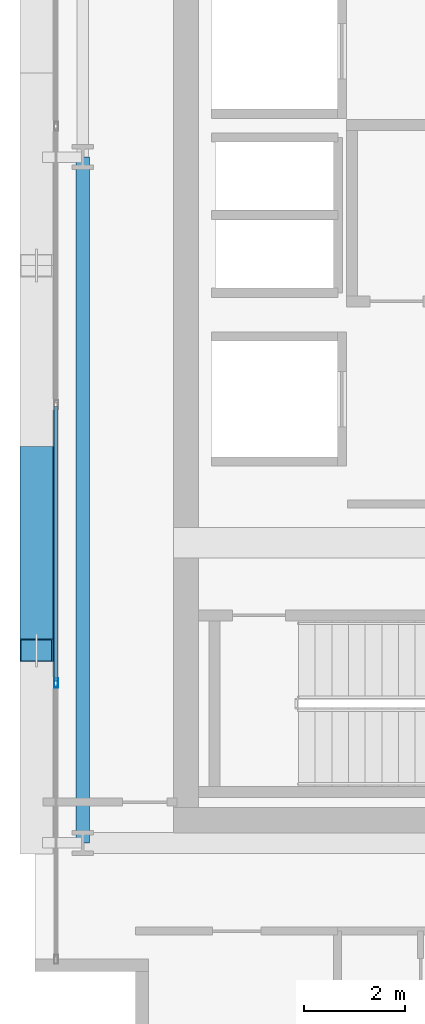
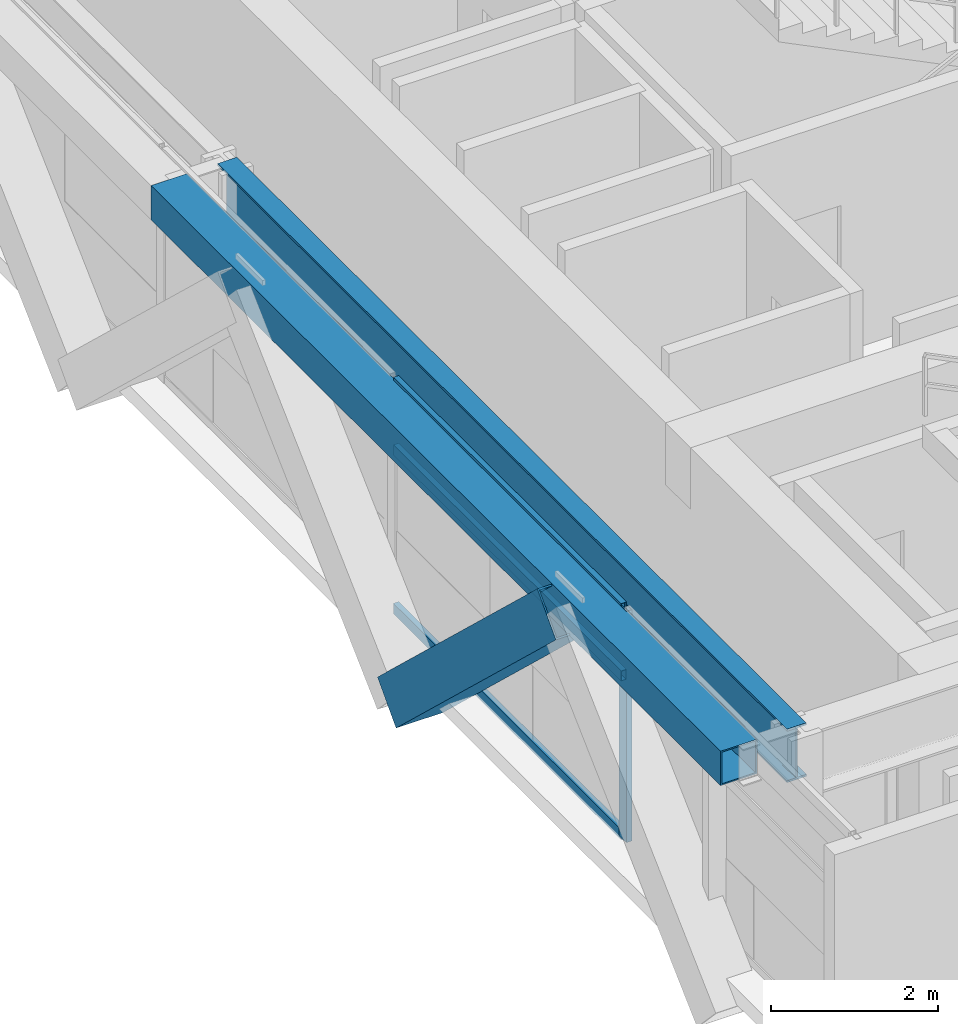
# One storey, part 4 of 31: 5 members, 2 beams, 1 element without a shape of its own.
"""IFC4 building model written with IfcOpenShell, lengths in metres."""

from ifc_helpers import new_model, si_unit, direction, frame, origin, origin_2d, place, context, subcontext, project, spatial, hollow_rectangle, i_section, extrude, source, transform, mapped, material, layer, layer_set, material_profile, profile_set, type_object, element, aggregate, save


model = new_model("IFC4")

# Units and contexts
model_context = context("Model", 3, precision=1e-05, world=origin(), true_north=direction((0.0, 1.0)))
body_context = subcontext(model_context, "Body", "Model", "MODEL_VIEW")
ifc_project = project(units=[si_unit("LENGTHUNIT", "METRE"), si_unit("AREAUNIT", "SQUARE_METRE"), si_unit("VOLUMEUNIT", "CUBIC_METRE"), si_unit("PLANEANGLEUNIT", "RADIAN"), si_unit("MASSUNIT", "GRAM", prefix="KILO")], contexts=[model_context])

# Site, building, storey
site_placement = place(None, origin())
site = spatial("IfcSite", under=ifc_project, at=site_placement, CompositionType="ELEMENT")
building_placement = place(site_placement, origin())
building = spatial("IfcBuilding", under=site, at=building_placement, Name="Ocotamira Hotel", CompositionType="ELEMENT")
storey_placement = place(building_placement, frame((0.0, 0.0, 188.39990234375)))
storey = spatial("IfcBuildingStorey", under=building, at=storey_placement, Name="L47", CompositionType="ELEMENT", Elevation=188.39990234375)

# Beams
ifc_material_1 = material(Name="Steel ASTM A992 Grade 50", Category="steel")
ifc_material_profile_1 = material_profile(ifc_material_1, i_section(OverallWidth=0.26611328125, OverallDepth=0.779052734375, WebThickness=0.0166015625, FlangeThickness=0.030029296875, FilletRadius=0.01806640625, at=origin_2d()), Name="W30X148")
ifc_profile_set_1 = profile_set([ifc_material_profile_1], Name="Steel ASTM A992 Grade 50")
beam_type_1 = type_object("IfcBeamType", Name="BM-GIRD-W30X148", PredefinedType="BEAM", material=ifc_profile_set_1)
shared_shape_1 = source(origin(), body_context, "Body", "SweptSolid", [
    extrude(i_section(OverallWidth=0.26611328125, OverallDepth=0.779052734375, WebThickness=0.0166015625, FlangeThickness=0.030029296875, FilletRadius=0.01806640625, at=origin_2d()), origin(), (0.0, 0.0, 1.0), 13.599853515625),
])
beam_1_placement = place(storey_placement, frame((8.949951171875, 14.550048828125, 2.980712890625), z_axis=(0.0, 1.0, 0.0), x_axis=(-1.0, 0.0, 0.0)))
element("IfcBeam", 1, at=beam_1_placement, inside=storey, type_object=beam_type_1, Name="L47 Beam X8.95 Y14.55-28.15", PredefinedType="BEAM", context=body_context, shape_type="MappedRepresentation", body=[
    mapped(shared_shape_1, transform((0.0, 0.0, 0.0), scale=1.0)),
])
ifc_material_2 = material(Name="Steel ASTM A500 Grade C", Category="steel")
ifc_material_profile_2 = material_profile(ifc_material_2, hollow_rectangle(XDim=0.5, YDim=0.5, WallThickness=0.02001953125, at=origin_2d()), Name="HSS500X500X20")
ifc_profile_set_2 = profile_set([ifc_material_profile_2], Name="Steel ASTM A500 Grade C")
beam_type_2 = type_object("IfcBeamType", Name="BM-SPAN-HSS500", PredefinedType="USERDEFINED", material=ifc_profile_set_2)
shared_shape_2 = source(origin(), body_context, "Body", "SweptSolid", [
    extrude(hollow_rectangle(XDim=0.5, YDim=0.5, WallThickness=0.02001953125, at=origin_2d()), origin(), (0.0, 0.0, 1.0), 13.599853515625),
])
beam_2_placement = place(storey_placement, frame((8.14990234375, 14.550048828125, 3.1201171875), z_axis=(0.0, 1.0, 0.0), x_axis=(-1.0, 0.0, 0.0)))
element("IfcBeam", 2, at=beam_2_placement, inside=storey, type_object=beam_type_2, Name="L47 Edge Spandrel W Y14.55-28.15", ObjectType="SPANDREL", PredefinedType="USERDEFINED", context=body_context, shape_type="MappedRepresentation", body=[
    mapped(shared_shape_2, transform((0.0, 0.0, 0.0), scale=1.0)),
])

# Member
ifc_material_3 = material(Name="Pale-metal coated steel ASTM A913 Grade 65", Category="steel")
ifc_material_profile_3 = material_profile(ifc_material_3, hollow_rectangle(XDim=0.64990234375, YDim=0.64990234375, WallThickness=0.02197265625, at=origin_2d()), Name="BOX650X650X22")
ifc_profile_set_3 = profile_set([ifc_material_profile_3], Name="Pale-metal coated steel ASTM A913 Grade 65")
member_type_1 = type_object("IfcMemberType", Name="MEM-EXO-BOX650", PredefinedType="BRACE", material=ifc_profile_set_3)
shared_shape_3 = source(origin(), body_context, "Body", "SweptSolid", [
    extrude(hollow_rectangle(XDim=0.64990234375, YDim=0.64990234375, WallThickness=0.02197265625, at=origin_2d()), origin(), (0.0, 0.0, 1.0), 5.24658203125),
])
member_1_placement = place(storey_placement, frame((8.030029296875, 22.183349609375, -0.47998046875), z_axis=(0.0, -0.727442733726, 0.686168397078), x_axis=(1.0, 0.0, 0.0)))
element("IfcMember", 3, at=member_1_placement, inside=storey, type_object=member_type_1, Name="L47 Exoskeleton Diagrid W0.2", PredefinedType="BRACE", context=body_context, shape_type="MappedRepresentation", body=[
    mapped(shared_shape_3, transform((0.0, 0.0, 0.0), scale=1.0)),
])

# Curtain wall, members
ifc_material_4 = material(Name="Anodised pale-metal aluminium and solar glass", Category="aluminium")
ifc_layer = layer(ifc_material_4, 0.199951171875)
ifc_layer_set = layer_set([ifc_layer], Name="Anodised pale-metal aluminium and solar glass")
curtain_wall_type = type_object("IfcCurtainWallType", Name="CW-SYS4-Z3", PredefinedType="NOTDEFINED", material=ifc_layer_set)
curtain_wall_placement = place(storey_placement, origin())
curtain_wall = element("IfcCurtainWall", 4, at=curtain_wall_placement, inside=storey, type_object=curtain_wall_type, Name="L47 Curtain Wall CW-4 CW-L47-W", PredefinedType="NOTDEFINED")
ifc_material_5 = material(Name="Anodised pale-metal aluminium 6063-T6", Category="aluminium")
ifc_material_profile_4 = material_profile(ifc_material_5, hollow_rectangle(XDim=0.080078125, YDim=0.179931640625, WallThickness=0.006103515625, at=origin_2d()), Name="HSS180X80X6")
ifc_profile_set_4 = profile_set([ifc_material_profile_4], Name="Anodised pale-metal aluminium 6063-T6")
member_type_2 = type_object("IfcMemberType", Name="CWM-180X75", PredefinedType="MULLION", material=ifc_profile_set_4)
shared_shape_4 = source(origin(), body_context, "Body", "SweptSolid", [
    extrude(hollow_rectangle(XDim=0.080078125, YDim=0.179931640625, WallThickness=0.006103515625, at=origin_2d()), origin(), (0.0, 0.0, 1.0), 3.3701171875),
])
member_2_placement = place(storey_placement, frame((8.419921875, 17.719970703125, 0.0), z_axis=(0.0, 0.0, 1.0), x_axis=(-1.0, 0.0, 0.0)))
member_2 = element("IfcMember", 5, at=member_2_placement, type_object=member_type_2, Name="CW-4 mullion 2", PredefinedType="MULLION", context=body_context, shape_type="MappedRepresentation", body=[
    mapped(shared_shape_4, transform((0.0, 0.0, 0.0), scale=1.0)),
])
ifc_material_profile_5 = material_profile(ifc_material_5, hollow_rectangle(XDim=0.074951171875, YDim=0.14990234375, WallThickness=0.006103515625, at=origin_2d()), Name="HSS150X75X6")
ifc_profile_set_5 = profile_set([ifc_material_profile_5], Name="Anodised pale-metal aluminium 6063-T6")
member_type_3 = type_object("IfcMemberType", Name="CWT-150X75", PredefinedType="USERDEFINED", material=ifc_profile_set_5)
shared_shape_5 = source(origin(), body_context, "Body", "SweptSolid", [
    extrude(hollow_rectangle(XDim=0.074951171875, YDim=0.14990234375, WallThickness=0.006103515625, at=origin_2d()), origin(), (0.0, 0.0, 1.0), 5.43994140625),
])
member_3_placement = place(storey_placement, frame((8.419921875, 17.760009765625, 0.03759765625), z_axis=(0.0, 1.0, 0.0), x_axis=(-1.0, 0.0, 0.0)))
member_3 = element("IfcMember", 6, at=member_3_placement, type_object=member_type_3, Name="CW-4 transom 2.1", ObjectType="TRANSOM", PredefinedType="USERDEFINED", context=body_context, shape_type="MappedRepresentation", body=[
    mapped(shared_shape_5, transform((0.0, 0.0, 0.0), scale=1.0)),
])
member_4_placement = place(storey_placement, frame((8.419921875, 17.760009765625, 2.35009765625), z_axis=(0.0, 1.0, 0.0), x_axis=(-1.0, 0.0, 0.0)))
member_4 = element("IfcMember", 7, at=member_4_placement, type_object=member_type_3, Name="CW-4 transom 2.2", ObjectType="TRANSOM", PredefinedType="USERDEFINED", context=body_context, shape_type="MappedRepresentation", body=[
    mapped(shared_shape_5, transform((0.0, 0.0, 0.0), scale=1.0)),
])
member_5_placement = place(storey_placement, frame((8.419921875, 17.760009765625, 3.33251953125), z_axis=(0.0, 1.0, 0.0), x_axis=(-1.0, 0.0, 0.0)))
member_5 = element("IfcMember", 8, at=member_5_placement, type_object=member_type_3, Name="CW-4 transom 2.3", ObjectType="TRANSOM", PredefinedType="USERDEFINED", context=body_context, shape_type="MappedRepresentation", body=[
    mapped(shared_shape_5, transform((0.0, 0.0, 0.0), scale=1.0)),
])
aggregate(curtain_wall, [member_2, member_3, member_4, member_5])

save(model, "model.ifc")
